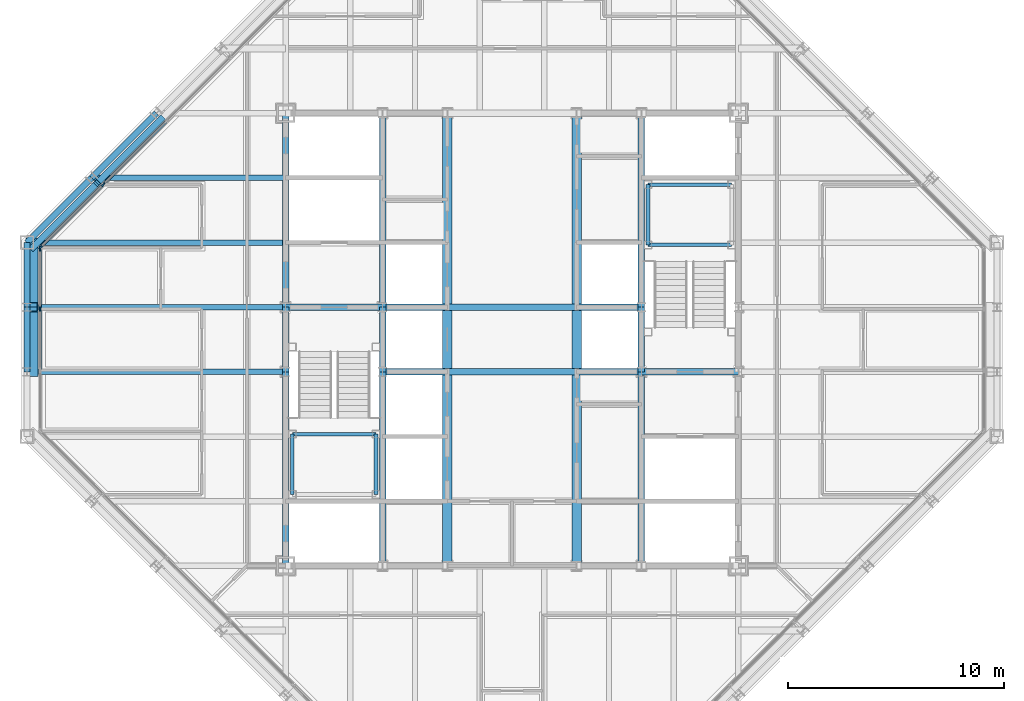
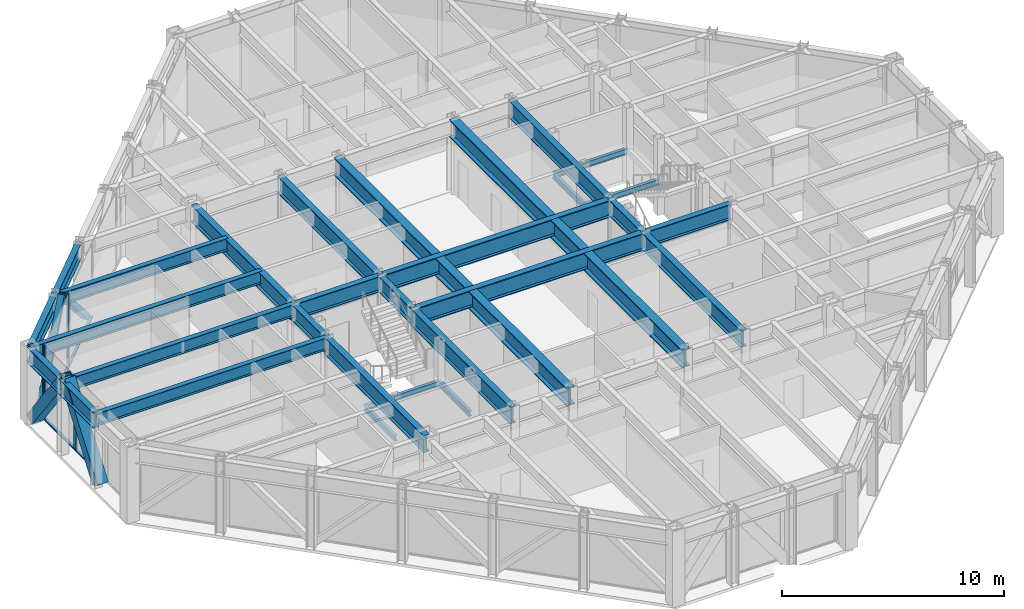
# One storey, part 6 of 15: 33 beams, 12 members, 2 elements without a shape of their own.
"""IFC4 building model written with IfcOpenShell, lengths in metres."""

from ifc_helpers import new_model, si_unit, direction, frame, origin, origin_2d, place, context, subcontext, project, spatial, rectangle, hollow_rectangle, i_section, extrude, material, layer, layer_set, material_profile, profile_set, type_object, element, aggregate, save


model = new_model("IFC4")

# Units and contexts
model_context = context("Model", 3, precision=1e-05, world=origin(), true_north=direction((0.0, 1.0)))
body_context = subcontext(model_context, "Body", "Model", "MODEL_VIEW")
ifc_project = project(units=[si_unit("LENGTHUNIT", "METRE"), si_unit("AREAUNIT", "SQUARE_METRE"), si_unit("VOLUMEUNIT", "CUBIC_METRE"), si_unit("PLANEANGLEUNIT", "RADIAN"), si_unit("MASSUNIT", "GRAM", prefix="KILO")], contexts=[model_context])

# Site, building, storey
site_placement = place(None, origin())
site = spatial("IfcSite", under=ifc_project, at=site_placement, CompositionType="ELEMENT")
building_placement = place(site_placement, origin())
building = spatial("IfcBuilding", under=site, at=building_placement, Name="Chuquiago Exchange Tower", CompositionType="ELEMENT")
storey_placement = place(building_placement, frame((0.0, 0.0, 283.199951171875)))
storey = spatial("IfcBuildingStorey", under=building, at=storey_placement, Name="L63", CompositionType="ELEMENT", Elevation=283.199951171875)

# Beams
ifc_material_1 = material(Name="Steel ASTM A992", Category="steel")
ifc_material_profile_1 = material_profile(ifc_material_1, i_section(OverallWidth=0.25390625, OverallDepth=0.683349609375, WebThickness=0.012451171875, FlangeThickness=0.018798828125, at=origin_2d()), Name="W27X94")
ifc_profile_set_1 = profile_set([ifc_material_profile_1], Name="Steel ASTM A992")
beam_type_1 = type_object("IfcBeamType", Name="B1 W27X94", PredefinedType="BEAM", material=ifc_profile_set_1)
for number, where, z_axis, x_axis, name in (
    (1, (12.0, 21.0, 3.698486328125), (-1.0, 0.0, 0.0), (0.0, -1.0, 0.0), "FB-L64-infill-12_21--0_21-0"),
    (2, (12.0, 24.0, 3.698486328125), (-1.0, 0.0, 0.0), (0.0, -1.0, 0.0), "FB-L64-infill-12_24--0_24-0"),
    (3, (12.0, 27.0, 3.698486328125), (-1.0, 0.0, 0.0), (0.0, -1.0, 0.0), "FB-L64-infill-12_27--0_27-0"),
):
    element("IfcBeam", number, at=place(storey_placement, frame(where, z_axis=z_axis, x_axis=x_axis)), inside=storey, type_object=beam_type_1, Name=name, PredefinedType="BEAM", context=body_context, shape_type="SweptSolid", body=[
        extrude(i_section(OverallWidth=0.25390625, OverallDepth=0.683349609375, WebThickness=0.012451171875, FlangeThickness=0.018798828125, at=origin_2d()), origin(), (0.0, 0.0, 1.0), 12.0),
    ])
beam_1_placement = place(storey_placement, frame((12.0, 30.0, 3.698486328125), z_axis=(-1.0, 0.0, 0.0), x_axis=(0.0, -1.0, 0.0)))
element("IfcBeam", 4, at=beam_1_placement, inside=storey, type_object=beam_type_1, Name="FB-L64-infill-12_30-3_30-0", PredefinedType="BEAM", context=body_context, shape_type="SweptSolid", body=[
    extrude(i_section(OverallWidth=0.25390625, OverallDepth=0.683349609375, WebThickness=0.012451171875, FlangeThickness=0.018798828125, at=origin_2d()), origin(), (0.0, 0.0, 1.0), 9.0),
])
ifc_material_2 = material(Name="Steel ASTM A992", Category="steel")
ifc_material_profile_2 = material_profile(ifc_material_2, i_section(OverallWidth=0.307373046875, OverallDepth=0.927001953125, WebThickness=0.01953125, FlangeThickness=0.031982421875, at=origin_2d()), Name="W36X194")
ifc_profile_set_2 = profile_set([ifc_material_profile_2], Name="Steel ASTM A992")
beam_type_2 = type_object("IfcBeamType", Name="B10 W36X194", PredefinedType="BEAM", material=ifc_profile_set_2)
for number, where, z_axis, x_axis, name in (
    (5, (12.0, 12.0, 3.576416015625), (0.0, 1.0, 0.0), (-1.0, 0.0, 0.0), "CB-L64-12_12-12_21"),
    (6, (12.0, 24.0, 3.576416015625), (0.0, 1.0, 0.0), (-1.0, 0.0, 0.0), "CB-L64-12_24-12_33"),
    (7, (16.5, 12.0, 3.576416015625), (0.0, 1.0, 0.0), (-1.0, 0.0, 0.0), "CB-L64-16.5_12-16.5_21"),
    (8, (16.5, 24.0, 3.576416015625), (0.0, 1.0, 0.0), (-1.0, 0.0, 0.0), "CB-L64-16.5_24-16.5_33"),
    (9, (28.5, 12.0, 3.576416015625), (0.0, 1.0, 0.0), (-1.0, 0.0, 0.0), "CB-L64-28.5_12-28.5_21"),
    (10, (28.5, 24.0, 3.576416015625), (0.0, 1.0, 0.0), (-1.0, 0.0, 0.0), "CB-L64-28.5_24-28.5_33"),
):
    element("IfcBeam", number, at=place(storey_placement, frame(where, z_axis=z_axis, x_axis=x_axis)), inside=storey, type_object=beam_type_2, Name=name, PredefinedType="BEAM", context=body_context, shape_type="SweptSolid", body=[
        extrude(i_section(OverallWidth=0.307373046875, OverallDepth=0.927001953125, WebThickness=0.01953125, FlangeThickness=0.031982421875, at=origin_2d()), origin(), (0.0, 0.0, 1.0), 9.0),
    ])
ifc_material_3 = material(Name="Steel ASTM A992", Category="steel")
ifc_material_profile_3 = material_profile(ifc_material_3, i_section(OverallWidth=0.309814453125, OverallDepth=0.949951171875, WebThickness=0.0244140625, FlangeThickness=0.0439453125, at=origin_2d()), Name="W36X256")
ifc_profile_set_3 = profile_set([ifc_material_profile_3], Name="Steel ASTM A992")
beam_type_3 = type_object("IfcBeamType", Name="B11 W36X256", PredefinedType="BEAM", material=ifc_profile_set_3)
for number, where, z_axis, x_axis, name in (
    (11, (16.5, 21.0, 3.56494140625), (1.0, 0.0, 0.0), (0.0, 1.0, 0.0), "CB-L64-16.5_21-28.5_21"),
    (12, (16.5, 24.0, 3.56494140625), (1.0, 0.0, 0.0), (0.0, 1.0, 0.0), "CB-L64-16.5_24-28.5_24"),
):
    element("IfcBeam", number, at=place(storey_placement, frame(where, z_axis=z_axis, x_axis=x_axis)), inside=storey, type_object=beam_type_3, Name=name, PredefinedType="BEAM", context=body_context, shape_type="SweptSolid", body=[
        extrude(i_section(OverallWidth=0.309814453125, OverallDepth=0.949951171875, WebThickness=0.0244140625, FlangeThickness=0.0439453125, at=origin_2d()), origin(), (0.0, 0.0, 1.0), 12.0),
    ])
ifc_material_4 = material(Name="Steel ASTM A992", Category="steel")
ifc_material_profile_4 = material_profile(ifc_material_4, i_section(OverallWidth=0.4267578125, OverallDepth=0.975341796875, WebThickness=0.031005859375, FlangeThickness=0.055908203125, at=origin_2d()), Name="W36X395")
ifc_profile_set_4 = profile_set([ifc_material_profile_4], Name="Steel ASTM A992")
beam_type_4 = type_object("IfcBeamType", Name="B12 W36X395", PredefinedType="BEAM", material=ifc_profile_set_4)
beam_2_placement = place(storey_placement, frame((19.5, 12.0, 3.55224609375), z_axis=(0.0, 1.0, 0.0), x_axis=(-1.0, 0.0, 0.0)))
element("IfcBeam", 13, at=beam_2_placement, inside=storey, type_object=beam_type_4, Name="CB-L64-19.5_12-19.5_20.8451", PredefinedType="BEAM", context=body_context, shape_type="SweptSolid", body=[
    extrude(i_section(OverallWidth=0.4267578125, OverallDepth=0.975341796875, WebThickness=0.031005859375, FlangeThickness=0.055908203125, at=origin_2d()), origin(), (0.0, 0.0, 1.0), 8.84521484375),
])
beam_3_placement = place(storey_placement, frame((19.5, 21.15478515625, 3.55224609375), z_axis=(0.0, 1.0, 0.0), x_axis=(-1.0, 0.0, 0.0)))
element("IfcBeam", 14, at=beam_3_placement, inside=storey, type_object=beam_type_4, Name="CB-L64-19.5_21.1549-19.5_23.8451", PredefinedType="BEAM", context=body_context, shape_type="SweptSolid", body=[
    extrude(i_section(OverallWidth=0.4267578125, OverallDepth=0.975341796875, WebThickness=0.031005859375, FlangeThickness=0.055908203125, at=origin_2d()), origin(), (0.0, 0.0, 1.0), 2.6904296875),
])
for number, where, z_axis, x_axis, name in (
    (15, (19.5, 24.15478515625, 3.55224609375), (0.0, 1.0, 0.0), (-1.0, 0.0, 0.0), "CB-L64-19.5_24.1549-19.5_33"),
    (16, (25.5, 12.0, 3.55224609375), (0.0, 1.0, 0.0), (-1.0, 0.0, 0.0), "CB-L64-25.5_12-25.5_20.8451"),
):
    element("IfcBeam", number, at=place(storey_placement, frame(where, z_axis=z_axis, x_axis=x_axis)), inside=storey, type_object=beam_type_4, Name=name, PredefinedType="BEAM", context=body_context, shape_type="SweptSolid", body=[
        extrude(i_section(OverallWidth=0.4267578125, OverallDepth=0.975341796875, WebThickness=0.031005859375, FlangeThickness=0.055908203125, at=origin_2d()), origin(), (0.0, 0.0, 1.0), 8.84521484375),
    ])
beam_4_placement = place(storey_placement, frame((25.5, 21.15478515625, 3.55224609375), z_axis=(0.0, 1.0, 0.0), x_axis=(-1.0, 0.0, 0.0)))
element("IfcBeam", 17, at=beam_4_placement, inside=storey, type_object=beam_type_4, Name="CB-L64-25.5_21.1549-25.5_23.8451", PredefinedType="BEAM", context=body_context, shape_type="SweptSolid", body=[
    extrude(i_section(OverallWidth=0.4267578125, OverallDepth=0.975341796875, WebThickness=0.031005859375, FlangeThickness=0.055908203125, at=origin_2d()), origin(), (0.0, 0.0, 1.0), 2.6904296875),
])
beam_5_placement = place(storey_placement, frame((25.5, 24.15478515625, 3.55224609375), z_axis=(0.0, 1.0, 0.0), x_axis=(-1.0, 0.0, 0.0)))
element("IfcBeam", 18, at=beam_5_placement, inside=storey, type_object=beam_type_4, Name="CB-L64-25.5_24.1549-25.5_33", PredefinedType="BEAM", context=body_context, shape_type="SweptSolid", body=[
    extrude(i_section(OverallWidth=0.4267578125, OverallDepth=0.975341796875, WebThickness=0.031005859375, FlangeThickness=0.055908203125, at=origin_2d()), origin(), (0.0, 0.0, 1.0), 8.84521484375),
])
ifc_material_5 = material(Name="Steel ASTM A992", Category="steel")
ifc_material_profile_5 = material_profile(ifc_material_5, i_section(OverallWidth=0.2919921875, OverallDepth=0.8583984375, WebThickness=0.01708984375, FlangeThickness=0.031005859375, at=origin_2d()), Name="W33X169")
ifc_profile_set_5 = profile_set([ifc_material_profile_5], Name="Steel ASTM A992")
beam_type_5 = type_object("IfcBeamType", Name="B3 W33X169", PredefinedType="BEAM", material=ifc_profile_set_5)
for number, where, z_axis, x_axis, name in (
    (19, (12.0, 21.0, 3.61083984375), (0.0, 1.0, 0.0), (-1.0, 0.0, 0.0), "CB-L64-12_21-12_24"),
    (20, (16.5, 21.0, 3.61083984375), (0.0, 1.0, 0.0), (-1.0, 0.0, 0.0), "CB-L64-16.5_21-16.5_24"),
    (21, (28.5, 21.0, 3.61083984375), (0.0, 1.0, 0.0), (-1.0, 0.0, 0.0), "CB-L64-28.5_21-28.5_24"),
):
    element("IfcBeam", number, at=place(storey_placement, frame(where, z_axis=z_axis, x_axis=x_axis)), inside=storey, type_object=beam_type_5, Name=name, PredefinedType="BEAM", context=body_context, shape_type="SweptSolid", body=[
        extrude(i_section(OverallWidth=0.2919921875, OverallDepth=0.8583984375, WebThickness=0.01708984375, FlangeThickness=0.031005859375, at=origin_2d()), origin(), (0.0, 0.0, 1.0), 3.0),
    ])
for number, where, z_axis, x_axis, name in (
    (22, (28.5, 21.0, 3.61083984375), (1.0, 0.0, 0.0), (0.0, 1.0, 0.0), "CB-L64-28.5_21-33_21"),
    (23, (12.0, 24.0, 3.61083984375), (1.0, 0.0, 0.0), (0.0, 1.0, 0.0), "CB-L64-12_24-16.5_24"),
):
    element("IfcBeam", number, at=place(storey_placement, frame(where, z_axis=z_axis, x_axis=x_axis)), inside=storey, type_object=beam_type_5, Name=name, PredefinedType="BEAM", context=body_context, shape_type="SweptSolid", body=[
        extrude(i_section(OverallWidth=0.2919921875, OverallDepth=0.8583984375, WebThickness=0.01708984375, FlangeThickness=0.031005859375, at=origin_2d()), origin(), (0.0, 0.0, 1.0), 4.5),
    ])

# Curtain wall, members
ifc_material_6 = material(Name="Aluminium curtain wall system", Category="aluminium")
ifc_layer_1 = layer(ifc_material_6, 0.22509765625)
ifc_layer_set_1 = layer_set([ifc_layer_1], Name="CW2 office curtain wall")
curtain_wall_type_1 = type_object("IfcCurtainWallType", Name="CW2 office curtain wall", PredefinedType="NOTDEFINED", material=ifc_layer_set_1)
curtain_wall_1_placement = place(storey_placement, origin())
curtain_wall_1 = element("IfcCurtainWall", 24, at=curtain_wall_1_placement, inside=storey, type_object=curtain_wall_type_1, Name="CW2 curtain wall L63", PredefinedType="NOTDEFINED")
ifc_material_7 = material(Name="Aluminium mullion, pale anodised", Category="aluminium")
ifc_material_profile_6 = material_profile(ifc_material_7, rectangle(XDim=0.06494140625, YDim=0.22509765625, at=origin_2d()), Name="AL 65x225")
ifc_profile_set_6 = profile_set([ifc_material_profile_6], Name="Aluminium mullion, pale anodised")
member_type_1 = type_object("IfcMemberType", Name="CW2-M mullion 65x225", PredefinedType="MULLION", material=ifc_profile_set_6)
member_1_placement = place(storey_placement, frame((0.60009765625, 26.718994140625, 0.0), z_axis=(0.0, 0.0, 1.0), x_axis=(1.0, 0.0, 0.0)))
member_1 = element("IfcMember", 25, at=member_1_placement, type_object=member_type_1, Name="CW2 mullion 1", PredefinedType="MULLION", context=body_context, shape_type="SweptSolid", body=[
    extrude(rectangle(XDim=0.06494140625, YDim=0.22509765625, at=origin_2d()), origin(), (0.0, 0.0, 1.0), 4.0400390625),
])
member_2_placement = place(storey_placement, frame((0.60009765625, 23.917236328125, 0.0), z_axis=(0.0, 0.0, 1.0), x_axis=(1.0, 0.0, 0.0)))
member_2 = element("IfcMember", 26, at=member_2_placement, type_object=member_type_1, Name="CW2 mullion 2", PredefinedType="MULLION", context=body_context, shape_type="SweptSolid", body=[
    extrude(rectangle(XDim=0.06494140625, YDim=0.22509765625, at=origin_2d()), origin(), (0.0, 0.0, 1.0), 4.0400390625),
])
ifc_material_8 = material(Name="Aluminium transom, pale anodised", Category="aluminium")
ifc_material_profile_7 = material_profile(ifc_material_8, rectangle(XDim=0.139892578125, YDim=0.06494140625, at=origin_2d()), Name="AL 140x65")
ifc_profile_set_7 = profile_set([ifc_material_profile_7], Name="Aluminium transom, pale anodised")
member_type_2 = type_object("IfcMemberType", Name="CW2-T transom 65x140", PredefinedType="MULLION", material=ifc_profile_set_7)
member_3_placement = place(storey_placement, frame((0.60009765625, 26.6865234375, 0.032470703125), z_axis=(0.0, -1.0, 0.0), x_axis=(1.0, 0.0, 0.0)))
member_3 = element("IfcMember", 27, at=member_3_placement, type_object=member_type_2, Name="CW2 transom 1.1", PredefinedType="MULLION", context=body_context, shape_type="SweptSolid", body=[
    extrude(rectangle(XDim=0.139892578125, YDim=0.06494140625, at=origin_2d()), origin(), (0.0, 0.0, 1.0), 2.73681640625),
])
member_4_placement = place(storey_placement, frame((0.60009765625, 23.884765625, 0.032470703125), z_axis=(0.0, -1.0, 0.0), x_axis=(1.0, 0.0, 0.0)))
member_4 = element("IfcMember", 28, at=member_4_placement, type_object=member_type_2, Name="CW2 transom 2.1", PredefinedType="MULLION", context=body_context, shape_type="SweptSolid", body=[
    extrude(rectangle(XDim=0.139892578125, YDim=0.06494140625, at=origin_2d()), origin(), (0.0, 0.0, 1.0), 2.76953125),
])
aggregate(curtain_wall_1, [member_1, member_2, member_3, member_4])

ifc_material_9 = material(Name="Aluminium curtain wall system", Category="aluminium")
ifc_layer_2 = layer(ifc_material_9, 0.199951171875)
ifc_layer_set_2 = layer_set([ifc_layer_2], Name="CW3 facet curtain wall")
curtain_wall_type_2 = type_object("IfcCurtainWallType", Name="CW3 facet curtain wall", PredefinedType="NOTDEFINED", material=ifc_layer_set_2)
curtain_wall_2_placement = place(storey_placement, origin())
curtain_wall_2 = element("IfcCurtainWall", 29, at=curtain_wall_2_placement, inside=storey, type_object=curtain_wall_type_2, Name="CW3 curtain wall L63", PredefinedType="NOTDEFINED")
ifc_material_10 = material(Name="Aluminium mullion, pale anodised", Category="aluminium")
ifc_material_profile_8 = material_profile(ifc_material_10, rectangle(XDim=0.06494140625, YDim=0.199951171875, at=origin_2d()), Name="AL 65x200")
ifc_profile_set_8 = profile_set([ifc_material_profile_8], Name="Aluminium mullion, pale anodised")
member_type_3 = type_object("IfcMemberType", Name="CW3-M mullion 65x200", PredefinedType="MULLION", material=ifc_profile_set_8)
member_5_placement = place(storey_placement, frame((3.54150390625, 29.69287109375, 0.0), z_axis=(0.0, 0.0, 1.0), x_axis=(0.707106781187, -0.707106781187, 0.0)))
member_5 = element("IfcMember", 30, at=member_5_placement, type_object=member_type_3, Name="CW3 mullion 6", PredefinedType="MULLION", context=body_context, shape_type="SweptSolid", body=[
    extrude(rectangle(XDim=0.06494140625, YDim=0.199951171875, at=origin_2d()), origin(), (0.0, 0.0, 1.0), 4.0400390625),
])
member_6_placement = place(storey_placement, frame((0.623046875, 26.7744140625, 0.0), z_axis=(0.0, 0.0, 1.0), x_axis=(0.707106781187, -0.707106781187, 0.0)))
member_6 = element("IfcMember", 31, at=member_6_placement, type_object=member_type_3, Name="CW3 mullion 7", PredefinedType="MULLION", context=body_context, shape_type="SweptSolid", body=[
    extrude(rectangle(XDim=0.06494140625, YDim=0.199951171875, at=origin_2d()), origin(), (0.0, 0.0, 1.0), 4.0400390625),
])
ifc_material_11 = material(Name="Aluminium transom, pale anodised", Category="aluminium")
ifc_material_profile_9 = material_profile(ifc_material_11, rectangle(XDim=0.139892578125, YDim=0.06494140625, at=origin_2d()), Name="AL 140x65")
ifc_profile_set_9 = profile_set([ifc_material_profile_9], Name="Aluminium transom, pale anodised")
member_type_4 = type_object("IfcMemberType", Name="CW3-T transom 65x140", PredefinedType="MULLION", material=ifc_profile_set_9)
member_7_placement = place(storey_placement, frame((6.4599609375, 32.611328125, 0.032470703125), z_axis=(-0.707106781187, -0.707106781187, 0.0), x_axis=(0.707106781187, -0.707106781187, 0.0)))
member_7 = element("IfcMember", 32, at=member_7_placement, type_object=member_type_4, Name="CW3 transom 5.1", PredefinedType="MULLION", context=body_context, shape_type="SweptSolid", body=[
    extrude(rectangle(XDim=0.139892578125, YDim=0.06494140625, at=origin_2d()), origin(), (0.0, 0.0, 1.0), 4.094970703125),
])
member_8_placement = place(storey_placement, frame((3.5185546875, 29.669921875, 0.032470703125), z_axis=(-0.707106781187, -0.707106781187, 0.0), x_axis=(0.707106781187, -0.707106781187, 0.0)))
member_8 = element("IfcMember", 33, at=member_8_placement, type_object=member_type_4, Name="CW3 transom 6.1", PredefinedType="MULLION", context=body_context, shape_type="SweptSolid", body=[
    extrude(rectangle(XDim=0.139892578125, YDim=0.06494140625, at=origin_2d()), origin(), (0.0, 0.0, 1.0), 4.0625),
])
aggregate(curtain_wall_2, [member_5, member_6, member_7, member_8])

# Members
ifc_material_12 = material(Name="Steel ASTM A500 Grade C", Category="steel")
ifc_material_profile_10 = material_profile(ifc_material_12, hollow_rectangle(XDim=0.3046875, YDim=0.3046875, WallThickness=0.0146484375, at=origin_2d()), Name="HSS12X12X5/8")
ifc_profile_set_10 = profile_set([ifc_material_profile_10], Name="Steel ASTM A500 Grade C")
member_type_5 = type_object("IfcMemberType", Name="LB3 HSS12X12X5/8", PredefinedType="BRACE", material=ifc_profile_set_10)
for number, where, z_axis, x_axis, name in (
    (34, (6.249267578125, 32.750732421875, 0.0), (-0.512077265487, -0.512077265487, 0.689604051861), (0.707106781187, -0.707106781187, 0.0), "LB-L63-6_33-3_30"),
    (35, (0.249267578125, 26.750732421875, 0.0), (0.512077265487, 0.512077265487, 0.689604051861), (-0.707106781187, 0.707106781187, 0.0), "LB-L63-3_30-0_27"),
):
    element("IfcMember", number, at=place(storey_placement, frame(where, z_axis=z_axis, x_axis=x_axis)), inside=storey, type_object=member_type_5, Name=name, PredefinedType="BRACE", context=body_context, shape_type="SweptSolid", body=[
        extrude(hollow_rectangle(XDim=0.3046875, YDim=0.3046875, WallThickness=0.0146484375, at=origin_2d()), origin(), (0.0, 0.0, 1.0), 5.8583984375),
    ])

# Beams
ifc_material_13 = material(Name="Steel ASTM A992", Category="steel")
ifc_material_profile_11 = material_profile(ifc_material_13, i_section(OverallWidth=0.164794921875, OverallDepth=0.309814453125, WebThickness=0.005859375, FlangeThickness=0.009765625, at=origin_2d()), Name="W12X26")
ifc_profile_set_11 = profile_set([ifc_material_profile_11], Name="Steel ASTM A992")
beam_type_6 = type_object("IfcBeamType", Name="LS1 W12X26", PredefinedType="BEAM", material=ifc_profile_set_11)
for number, where, z_axis, x_axis, name in (
    (36, (12.31005859375, 15.31005859375, 1.7451171875), (0.0, 1.0, 0.0), (-1.0, 0.0, 0.0), "Stair ST1 L63 landing 1 stringer"),
    (37, (16.18994140625, 15.31005859375, 1.7451171875), (0.0, 1.0, 0.0), (-1.0, 0.0, 0.0), "Stair ST1 L63 landing 1 stringer"),
    (38, (28.81005859375, 26.889892578125, 1.7451171875), (0.0, 1.0, 0.0), (-1.0, 0.0, 0.0), "Stair ST2 L63 landing 1 stringer"),
):
    element("IfcBeam", number, at=place(storey_placement, frame(where, z_axis=z_axis, x_axis=x_axis)), inside=storey, type_object=beam_type_6, Name=name, PredefinedType="BEAM", context=body_context, shape_type="SweptSolid", body=[
        extrude(i_section(OverallWidth=0.164794921875, OverallDepth=0.309814453125, WebThickness=0.005859375, FlangeThickness=0.009765625, at=origin_2d()), origin(), (0.0, 0.0, 1.0), 2.800048828125),
    ])
ifc_material_14 = material(Name="Steel ASTM A992", Category="steel")
ifc_material_profile_12 = material_profile(ifc_material_14, i_section(OverallWidth=0.164794921875, OverallDepth=0.309814453125, WebThickness=0.005859375, FlangeThickness=0.009765625, at=origin_2d()), Name="W12X26")
ifc_profile_set_12 = profile_set([ifc_material_profile_12], Name="Steel ASTM A992")
beam_type_7 = type_object("IfcBeamType", Name="LT1 W12X26", PredefinedType="BEAM", material=ifc_profile_set_12)
for number, where, z_axis, x_axis, name in (
    (39, (12.31005859375, 18.110107421875, 1.7451171875), (1.0, 0.0, 0.0), (0.0, 1.0, 0.0), "Stair ST1 L63 landing 1 trimmer"),
    (40, (28.81005859375, 29.68994140625, 1.7451171875), (1.0, 0.0, 0.0), (0.0, 1.0, 0.0), "Stair ST2 L63 landing 1 trimmer"),
    (41, (28.81005859375, 26.889892578125, 1.7451171875), (1.0, 0.0, 0.0), (0.0, 1.0, 0.0), "Stair ST2 L63 landing 1 trimmer"),
):
    element("IfcBeam", number, at=place(storey_placement, frame(where, z_axis=z_axis, x_axis=x_axis)), inside=storey, type_object=beam_type_7, Name=name, PredefinedType="BEAM", context=body_context, shape_type="SweptSolid", body=[
        extrude(i_section(OverallWidth=0.164794921875, OverallDepth=0.309814453125, WebThickness=0.005859375, FlangeThickness=0.009765625, at=origin_2d()), origin(), (0.0, 0.0, 1.0), 3.8798828125),
    ])

# Members
ifc_material_15 = material(Name="Steel ASTM A572 Grade 50", Category="steel")
ifc_material_profile_13 = material_profile(ifc_material_15, hollow_rectangle(XDim=0.550048828125, YDim=0.550048828125, WallThickness=0.044921875, at=origin_2d()), Name="BOX550X550X45")
ifc_profile_set_13 = profile_set([ifc_material_profile_13], Name="Steel ASTM A572 Grade 50")
member_type_6 = type_object("IfcMemberType", Name="MB4 BOX550X550X45", PredefinedType="BRACE", material=ifc_profile_set_13)
for number, where, z_axis, x_axis, name in (
    (42, (0.22998046875, 27.0, 0.0), (0.0, -0.596173923302, 0.802855312728), (1.0, 0.0, 0.0), "Mega diagonal L63 W face"),
    (43, (0.22998046875, 21.0, 0.0), (0.0, 0.596173923302, 0.802855312728), (-1.0, 0.0, 0.0), "Mega diagonal L63 W face"),
):
    element("IfcMember", number, at=place(storey_placement, frame(where, z_axis=z_axis, x_axis=x_axis)), inside=storey, type_object=member_type_6, Name=name, PredefinedType="BRACE", context=body_context, shape_type="SweptSolid", body=[
        extrude(hollow_rectangle(XDim=0.550048828125, YDim=0.550048828125, WallThickness=0.044921875, at=origin_2d()), origin(), (0.0, 0.0, 1.0), 5.031982421875),
    ])

# Beams
ifc_material_16 = material(Name="Steel ASTM A992", Category="steel")
ifc_material_profile_14 = material_profile(ifc_material_16, i_section(OverallWidth=0.2919921875, OverallDepth=0.8583984375, WebThickness=0.01708984375, FlangeThickness=0.031005859375, at=origin_2d()), Name="W33X169")
ifc_profile_set_14 = profile_set([ifc_material_profile_14], Name="Steel ASTM A992")
beam_type_8 = type_object("IfcBeamType", Name="SP4 W33X169", PredefinedType="SPANDREL", material=ifc_profile_set_14)
for number, where, z_axis, x_axis, name in (
    (44, (6.0, 33.0, 3.61083984375), (-0.707106781187, -0.707106781187, 0.0), (0.707106781187, -0.707106781187, 0.0), "SPB-L64-6_33-3_30"),
    (45, (3.0, 30.0, 3.61083984375), (-0.707106781187, -0.707106781187, 0.0), (0.707106781187, -0.707106781187, 0.0), "SPB-L64-3_30-0_27"),
):
    element("IfcBeam", number, at=place(storey_placement, frame(where, z_axis=z_axis, x_axis=x_axis)), inside=storey, type_object=beam_type_8, Name=name, PredefinedType="SPANDREL", context=body_context, shape_type="SweptSolid", body=[
        extrude(i_section(OverallWidth=0.2919921875, OverallDepth=0.8583984375, WebThickness=0.01708984375, FlangeThickness=0.031005859375, at=origin_2d()), origin(), (0.0, 0.0, 1.0), 4.24267578125),
    ])
for number, where, z_axis, x_axis, name in (
    (46, (0.0, 27.0, 3.61083984375), (0.0, -1.0, 0.0), (1.0, 0.0, 0.0), "SPB-L64-0_27-0_24"),
    (47, (0.0, 24.0, 3.61083984375), (0.0, -1.0, 0.0), (1.0, 0.0, 0.0), "SPB-L64-0_24-0_21"),
):
    element("IfcBeam", number, at=place(storey_placement, frame(where, z_axis=z_axis, x_axis=x_axis)), inside=storey, type_object=beam_type_8, Name=name, PredefinedType="SPANDREL", context=body_context, shape_type="SweptSolid", body=[
        extrude(i_section(OverallWidth=0.2919921875, OverallDepth=0.8583984375, WebThickness=0.01708984375, FlangeThickness=0.031005859375, at=origin_2d()), origin(), (0.0, 0.0, 1.0), 3.0),
    ])

save(model, "model.ifc")
